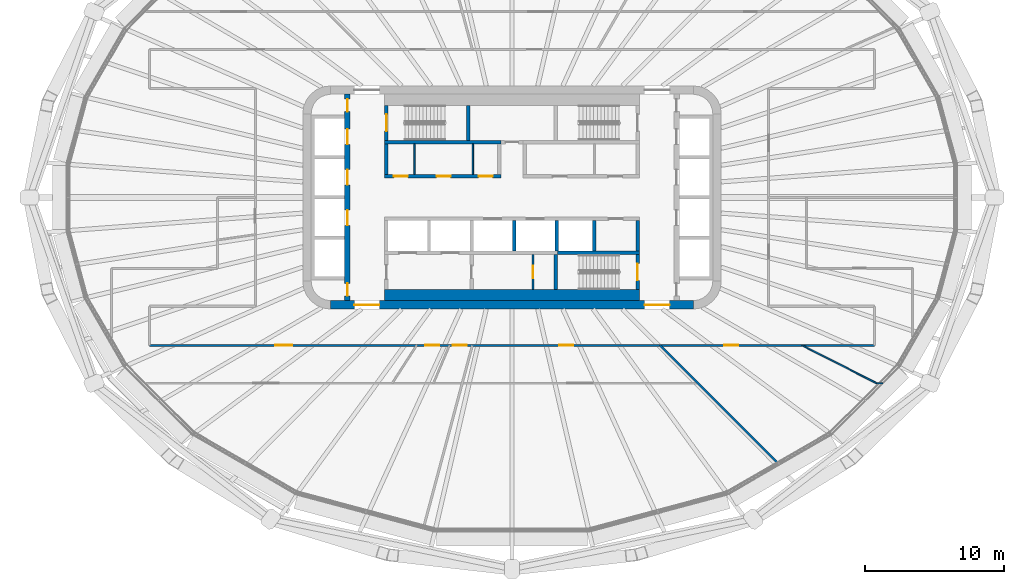
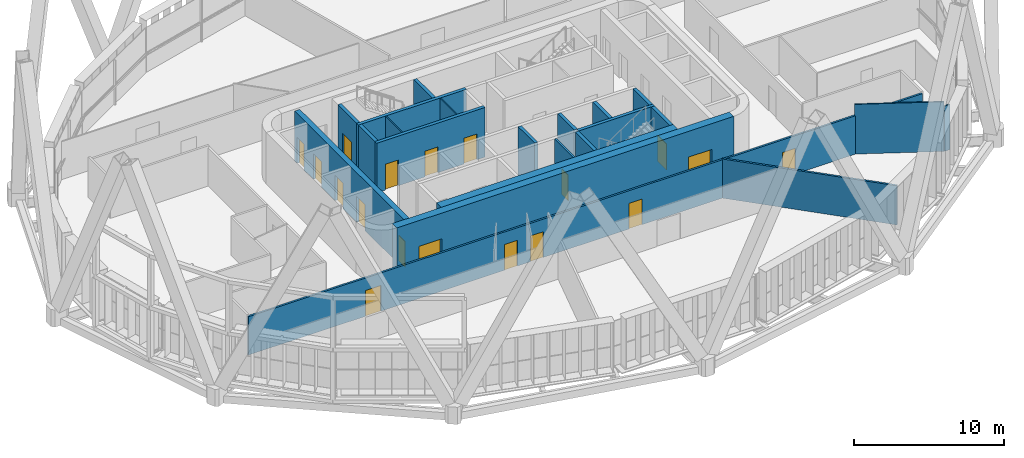
# One storey, part 15 of 25: 22 walls, 18 doors, 18 openings.
"""IFC4 building model written with IfcOpenShell, lengths in metres."""

from ifc_helpers import new_model, si_unit, direction, frame, frame_2d, origin, place, context, subcontext, project, spatial, rectangle, extrude, material, layer, layer_set, type_object, element, fill, save


model = new_model("IFC4")

# Units and contexts
model_context = context("Model", 3, precision=1e-05, world=origin(), true_north=direction((0.0, 1.0)))
body_context = subcontext(model_context, "Body", "Model", "MODEL_VIEW")
ifc_project = project(units=[si_unit("LENGTHUNIT", "METRE"), si_unit("AREAUNIT", "SQUARE_METRE"), si_unit("VOLUMEUNIT", "CUBIC_METRE"), si_unit("PLANEANGLEUNIT", "RADIAN"), si_unit("MASSUNIT", "GRAM", prefix="KILO")], contexts=[model_context])

# Site, building, storey
site_placement = place(None, origin())
site = spatial("IfcSite", under=ifc_project, at=site_placement, CompositionType="ELEMENT")
building_placement = place(site_placement, origin())
building = spatial("IfcBuilding", under=site, at=building_placement, Name="Sahrelin Media Tower", CompositionType="ELEMENT")
storey_placement = place(building_placement, frame((0.0, 0.0, 114.60009765625)))
storey = spatial("IfcBuildingStorey", under=building, at=storey_placement, Name="L22", CompositionType="ELEMENT", Elevation=114.60009765625)

# Wall, openings, doors
ifc_material_1 = material(Name="Concrete C60/75", Category="concrete")
ifc_layer_1 = layer(ifc_material_1, 0.60009765625)
ifc_layer_set_1 = layer_set([ifc_layer_1], Name="Core wall 600")
wall_type_1 = type_object("IfcWallType", Name="Core wall 600", PredefinedType="SHEAR", material=ifc_layer_set_1)
wall_1_placement = place(storey_placement, frame((-13.0, -7.699951171875, 0.0), z_axis=(0.0, 0.0, 1.0), x_axis=(1.0, 0.0, 0.0)))
wall_1 = element("IfcWall", 1, at=wall_1_placement, inside=storey, type_object=wall_type_1, Name="Core wall S L22", PredefinedType="SHEAR", context=body_context, shape_type="SweptSolid", body=[
    extrude(rectangle(XDim=26.0, YDim=0.60009765625, at=frame_2d((13.0, 0.0))), origin(), (0.0, 0.0, 1.0), 4.199951171875),
])
opening_1_placement = place(wall_1_placement, frame((1.699951171875, 0.0, 0.0)))
opening_1 = element("IfcOpeningElement", 2, at=opening_1_placement, cuts=wall_1, Name="Opening L22-D20", PredefinedType="OPENING", context=body_context, shape_type="SweptSolid", body=[
    extrude(rectangle(XDim=1.800048828125, YDim=2.10009765625, at=frame_2d((0.89990234375, 1.050048828125))), frame((0.0, 0.300048828125, 0.0), z_axis=(0.0, -1.0, 0.0), x_axis=(1.0, 0.0, 0.0)), (0.0, 0.0, 1.0), 0.60009765625),
])
opening_2_placement = place(wall_1_placement, frame((22.5, 0.0, 0.0)))
opening_2 = element("IfcOpeningElement", 3, at=opening_2_placement, cuts=wall_1, Name="Opening L22-D21", PredefinedType="OPENING", context=body_context, shape_type="SweptSolid", body=[
    extrude(rectangle(XDim=1.800048828125, YDim=2.10009765625, at=frame_2d((0.89990234375, 1.050048828125))), frame((0.0, 0.300048828125, 0.0), z_axis=(0.0, -1.0, 0.0), x_axis=(1.0, 0.0, 0.0)), (0.0, 0.0, 1.0), 0.60009765625),
])
ifc_material_2 = material(Name="Steel fire door leaf", Category="steel")
door_type_1 = type_object("IfcDoorType", Name="Lobby double door 1800 x 2100 EI 60", OperationType="DOUBLE_DOOR_SINGLE_SWING", PredefinedType="DOOR", material=ifc_material_2)
door_1_placement = place(opening_1_placement, origin())
door_1 = element("IfcDoor", 4, at=door_1_placement, inside=storey, type_object=door_type_1, Name="Lobby door", OperationType="DOUBLE_DOOR_SINGLE_SWING", OverallHeight=2.10009765625, OverallWidth=1.800048828125, PredefinedType="DOOR", context=body_context, shape_type="SweptSolid", body=[
    extrude(rectangle(XDim=1.800048828125, YDim=2.10009765625, at=frame_2d((0.89990234375, 1.050048828125))), frame((0.0, 0.02490234375, 0.0), z_axis=(0.0, -1.0, 0.0), x_axis=(1.0, 0.0, 0.0)), (0.0, 0.0, 1.0), 0.050048828125),
])
fill(opening_1, door_1)
door_2_placement = place(opening_2_placement, origin())
door_2 = element("IfcDoor", 5, at=door_2_placement, inside=storey, type_object=door_type_1, Name="Lobby door", OperationType="DOUBLE_DOOR_SINGLE_SWING", OverallHeight=2.10009765625, OverallWidth=1.800048828125, PredefinedType="DOOR", context=body_context, shape_type="SweptSolid", body=[
    extrude(rectangle(XDim=1.800048828125, YDim=2.10009765625, at=frame_2d((0.89990234375, 1.050048828125))), frame((0.0, 0.02490234375, 0.0), z_axis=(0.0, -1.0, 0.0), x_axis=(1.0, 0.0, 0.0)), (0.0, 0.0, 1.0), 0.050048828125),
])
fill(opening_2, door_2)

ifc_material_3 = material(Name="Fire-rated gypsum board partition")
ifc_layer_2 = layer(ifc_material_3, 0.25)
ifc_layer_set_2 = layer_set([ifc_layer_2], Name="Fire-rated lobby wall 250")
wall_type_2 = type_object("IfcWallType", Name="Fire-rated lobby wall 250", PredefinedType="PARTITIONING", material=ifc_layer_set_2)
wall_2_placement = place(storey_placement, frame((-9.125, 1.52490234375, 0.0), z_axis=(0.0, 0.0, 1.0), x_axis=(1.0, 0.0, 0.0)))
wall_2 = element("IfcWall", 6, at=wall_2_placement, inside=storey, type_object=wall_type_2, Name="Core lobby wall", PredefinedType="PARTITIONING", context=body_context, shape_type="SweptSolid", body=[
    extrude(rectangle(XDim=8.35009765625, YDim=0.25, at=frame_2d((4.175048828125, 0.0))), origin(), (0.0, 0.0, 1.0), 4.0498046875),
])
opening_3_placement = place(wall_2_placement, frame((0.66259765625, 0.0, 0.0)))
opening_3 = element("IfcOpeningElement", 7, at=opening_3_placement, cuts=wall_2, Name="Opening L22-D08", PredefinedType="OPENING", context=body_context, shape_type="SweptSolid", body=[
    extrude(rectangle(XDim=1.0, YDim=2.10009765625, at=frame_2d((0.5, 1.050048828125))), frame((0.0, 0.125, 0.0), z_axis=(0.0, -1.0, 0.0), x_axis=(1.0, 0.0, 0.0)), (0.0, 0.0, 1.0), 0.25),
])
opening_4_placement = place(wall_2_placement, frame((3.72509765625, 0.0, 0.0)))
opening_4 = element("IfcOpeningElement", 8, at=opening_4_placement, cuts=wall_2, Name="Opening L22-D09", PredefinedType="OPENING", context=body_context, shape_type="SweptSolid", body=[
    extrude(rectangle(XDim=1.0, YDim=2.10009765625, at=frame_2d((0.5, 1.050048828125))), frame((0.0, 0.125, 0.0), z_axis=(0.0, -1.0, 0.0), x_axis=(1.0, 0.0, 0.0)), (0.0, 0.0, 1.0), 0.25),
])
opening_5_placement = place(wall_2_placement, frame((6.737548828125, 0.0, 0.0)))
opening_5 = element("IfcOpeningElement", 9, at=opening_5_placement, cuts=wall_2, Name="Opening L22-D10", PredefinedType="OPENING", context=body_context, shape_type="SweptSolid", body=[
    extrude(rectangle(XDim=1.0, YDim=2.10009765625, at=frame_2d((0.5, 1.050048828125))), frame((0.0, 0.125, 0.0), z_axis=(0.0, -1.0, 0.0), x_axis=(1.0, 0.0, 0.0)), (0.0, 0.0, 1.0), 0.25),
])
door_type_2 = type_object("IfcDoorType", Name="Fire door 1000 x 2100 EI 60", OperationType="NOTDEFINED", PredefinedType="DOOR", material=ifc_material_2)
door_3_placement = place(opening_3_placement, origin())
door_3 = element("IfcDoor", 10, at=door_3_placement, inside=storey, type_object=door_type_2, Name="Core room door", OperationType="SINGLE_SWING_LEFT", OverallHeight=2.10009765625, OverallWidth=1.0, PredefinedType="DOOR", context=body_context, shape_type="SweptSolid", body=[
    extrude(rectangle(XDim=1.0, YDim=2.10009765625, at=frame_2d((0.5, 1.050048828125))), frame((0.0, 0.02490234375, 0.0), z_axis=(0.0, -1.0, 0.0), x_axis=(1.0, 0.0, 0.0)), (0.0, 0.0, 1.0), 0.050048828125),
])
fill(opening_3, door_3)
door_4_placement = place(opening_4_placement, origin())
door_4 = element("IfcDoor", 11, at=door_4_placement, inside=storey, type_object=door_type_2, Name="Core room door", OperationType="SINGLE_SWING_LEFT", OverallHeight=2.10009765625, OverallWidth=1.0, PredefinedType="DOOR", context=body_context, shape_type="SweptSolid", body=[
    extrude(rectangle(XDim=1.0, YDim=2.10009765625, at=frame_2d((0.5, 1.050048828125))), frame((0.0, 0.02490234375, 0.0), z_axis=(0.0, -1.0, 0.0), x_axis=(1.0, 0.0, 0.0)), (0.0, 0.0, 1.0), 0.050048828125),
])
fill(opening_4, door_4)
door_5_placement = place(opening_5_placement, origin())
door_5 = element("IfcDoor", 12, at=door_5_placement, inside=storey, type_object=door_type_2, Name="Core room door", OperationType="SINGLE_SWING_LEFT", OverallHeight=2.10009765625, OverallWidth=1.0, PredefinedType="DOOR", context=body_context, shape_type="SweptSolid", body=[
    extrude(rectangle(XDim=1.0, YDim=2.10009765625, at=frame_2d((0.5, 1.050048828125))), frame((0.0, 0.02490234375, 0.0), z_axis=(0.0, -1.0, 0.0), x_axis=(1.0, 0.0, 0.0)), (0.0, 0.0, 1.0), 0.050048828125),
])
fill(opening_5, door_5)

# Walls
wall_3_placement = place(storey_placement, frame((-9.0, 1.64990234375, 0.0), z_axis=(0.0, 0.0, 1.0), x_axis=(0.0, 1.0, 0.0)))
element("IfcWall", 13, at=wall_3_placement, inside=storey, type_object=wall_type_2, Name="Core lobby wall", PredefinedType="PARTITIONING", context=body_context, shape_type="SweptSolid", body=[
    extrude(rectangle(XDim=2.2001953125, YDim=0.25, at=frame_2d((1.10009765625, 0.0))), origin(), (0.0, 0.0, 1.0), 4.0498046875),
])
ifc_layer_3 = layer(ifc_material_3, 0.10009765625)
ifc_layer_set_3 = layer_set([ifc_layer_3], Name="Fire-rated partition 100")
wall_type_3 = type_object("IfcWallType", Name="Fire-rated partition 100", PredefinedType="PARTITIONING", material=ifc_layer_set_3)
for number, where, z_axis, x_axis, name in (
    (14, (-7.0, 1.64990234375, 0.0), (0.0, 0.0, 1.0), (0.0, 1.0, 0.0), "Core room partition"),
    (15, (-2.800048828125, 1.64990234375, 0.0), (0.0, 0.0, 1.0), (0.0, 1.0, 0.0), "Core room partition"),
):
    element("IfcWall", number, at=place(storey_placement, frame(where, z_axis=z_axis, x_axis=x_axis)), inside=storey, type_object=wall_type_3, Name=name, PredefinedType="PARTITIONING", context=body_context, shape_type="SweptSolid", body=[
        extrude(rectangle(XDim=2.2001953125, YDim=0.10009765625, at=frame_2d((1.10009765625, 0.0))), origin(), (0.0, 0.0, 1.0), 4.0498046875),
    ])

# Wall, opening, door
ifc_layer_4 = layer(ifc_material_3, 0.14990234375)
ifc_layer_set_4 = layer_set([ifc_layer_4], Name="Fire-rated partition 150")
wall_type_4 = type_object("IfcWallType", Name="Fire-rated partition 150", PredefinedType="PARTITIONING", material=ifc_layer_set_4)
wall_4_placement = place(storey_placement, frame((1.5, -6.60009765625, 0.0), z_axis=(0.0, 0.0, 1.0), x_axis=(0.0, 1.0, 0.0)))
wall_4 = element("IfcWall", 16, at=wall_4_placement, inside=storey, type_object=wall_type_4, Name="Core room fire partition", PredefinedType="PARTITIONING", context=body_context, shape_type="SweptSolid", body=[
    extrude(rectangle(XDim=2.5, YDim=0.14990234375, at=frame_2d((1.25, 0.0))), origin(), (0.0, 0.0, 1.0), 4.0498046875),
])
opening_6_placement = place(wall_4_placement, frame((0.800048828125, 0.0, 0.0)))
opening_6 = element("IfcOpeningElement", 17, at=opening_6_placement, cuts=wall_4, Name="Opening L22-D07", PredefinedType="OPENING", context=body_context, shape_type="SweptSolid", body=[
    extrude(rectangle(XDim=0.89990234375, YDim=2.10009765625, at=frame_2d((0.449951171875, 1.050048828125))), frame((0.0, 0.074951171875, 0.0), z_axis=(0.0, -1.0, 0.0), x_axis=(1.0, 0.0, 0.0)), (0.0, 0.0, 1.0), 0.14990234375),
])
door_type_3 = type_object("IfcDoorType", Name="Fire door 900 x 2100 EI 60", OperationType="NOTDEFINED", PredefinedType="DOOR", material=ifc_material_2)
door_6_placement = place(opening_6_placement, origin())
door_6 = element("IfcDoor", 18, at=door_6_placement, inside=storey, type_object=door_type_3, Name="Core room door", OperationType="SINGLE_SWING_RIGHT", OverallHeight=2.10009765625, OverallWidth=0.89990234375, PredefinedType="DOOR", context=body_context, shape_type="SweptSolid", body=[
    extrude(rectangle(XDim=0.89990234375, YDim=2.10009765625, at=frame_2d((0.449951171875, 1.050048828125))), frame((0.0, 0.02490234375, 0.0), z_axis=(0.0, -1.0, 0.0), x_axis=(1.0, 0.0, 0.0)), (0.0, 0.0, 1.0), 0.050048828125),
])
fill(opening_6, door_6)

# Wall
wall_5_placement = place(storey_placement, frame((10.60009765625, -10.60009765625, 0.0), z_axis=(0.0, 0.0, 1.0), x_axis=(0.707106781187, -0.707106781187, 0.0)))
element("IfcWall", 19, at=wall_5_placement, inside=storey, type_object=wall_type_4, Name="Wall", PredefinedType="PARTITIONING", context=body_context, shape_type="SweptSolid", body=[
    extrude(rectangle(XDim=12.10546875, YDim=0.14990234375, at=frame_2d((6.052734375, 0.0))), origin(), (0.0, 0.0, 1.0), 3.195068359375),
])

# Wall, openings, doors
wall_6_placement = place(storey_placement, frame((-26.0, -10.60009765625, 0.0), z_axis=(0.0, 0.0, 1.0), x_axis=(1.0, 0.0, 0.0)))
wall_6 = element("IfcWall", 20, at=wall_6_placement, inside=storey, type_object=wall_type_4, Name="Wall", PredefinedType="PARTITIONING", context=body_context, shape_type="SweptSolid", body=[
    extrude(rectangle(XDim=52.0, YDim=0.14990234375, at=frame_2d((26.0, 0.0))), origin(), (0.0, 0.0, 1.0), 3.126953125),
])
opening_7_placement = place(wall_6_placement, frame((9.03369140625, 0.0, 0.0)))
opening_7 = element("IfcOpeningElement", 21, at=opening_7_placement, cuts=wall_6, Name="Opening L22-D26", PredefinedType="OPENING", context=body_context, shape_type="SweptSolid", body=[
    extrude(rectangle(XDim=1.199951171875, YDim=2.10009765625, at=frame_2d((0.60009765625, 1.050048828125))), frame((0.0, 0.074951171875, 0.0), z_axis=(0.0, -1.0, 0.0), x_axis=(1.0, 0.0, 0.0)), (0.0, 0.0, 1.0), 0.14990234375),
])
opening_8_placement = place(wall_6_placement, frame((19.76708984375, 0.0, 0.0)))
opening_8 = element("IfcOpeningElement", 22, at=opening_8_placement, cuts=wall_6, Name="Opening L22-D27", PredefinedType="OPENING", context=body_context, shape_type="SweptSolid", body=[
    extrude(rectangle(XDim=1.0, YDim=2.10009765625, at=frame_2d((0.5, 1.050048828125))), frame((0.0, 0.074951171875, 0.0), z_axis=(0.0, -1.0, 0.0), x_axis=(1.0, 0.0, 0.0)), (0.0, 0.0, 1.0), 0.14990234375),
])
opening_9_placement = place(wall_6_placement, frame((21.762939453125, 0.0, 0.0)))
opening_9 = element("IfcOpeningElement", 23, at=opening_9_placement, cuts=wall_6, Name="Opening L22-D28", PredefinedType="OPENING", context=body_context, shape_type="SweptSolid", body=[
    extrude(rectangle(XDim=1.0, YDim=2.10009765625, at=frame_2d((0.5, 1.050048828125))), frame((0.0, 0.074951171875, 0.0), z_axis=(0.0, -1.0, 0.0), x_axis=(1.0, 0.0, 0.0)), (0.0, 0.0, 1.0), 0.14990234375),
])
opening_10_placement = place(wall_6_placement, frame((29.3798828125, 0.0, 0.0)))
opening_10 = element("IfcOpeningElement", 24, at=opening_10_placement, cuts=wall_6, Name="Opening L22-D30", PredefinedType="OPENING", context=body_context, shape_type="SweptSolid", body=[
    extrude(rectangle(XDim=1.0, YDim=2.10009765625, at=frame_2d((0.5, 1.050048828125))), frame((0.0, 0.074951171875, 0.0), z_axis=(0.0, -1.0, 0.0), x_axis=(1.0, 0.0, 0.0)), (0.0, 0.0, 1.0), 0.14990234375),
])
opening_11_placement = place(wall_6_placement, frame((41.201904296875, 0.0, 0.0)))
opening_11 = element("IfcOpeningElement", 25, at=opening_11_placement, cuts=wall_6, Name="Opening L22-D32", PredefinedType="OPENING", context=body_context, shape_type="SweptSolid", body=[
    extrude(rectangle(XDim=1.0, YDim=2.10009765625, at=frame_2d((0.5, 1.050048828125))), frame((0.0, 0.074951171875, 0.0), z_axis=(0.0, -1.0, 0.0), x_axis=(1.0, 0.0, 0.0)), (0.0, 0.0, 1.0), 0.14990234375),
])
door_7_placement = place(opening_8_placement, origin())
door_7 = element("IfcDoor", 26, at=door_7_placement, inside=storey, type_object=door_type_2, Name="Fire door", OperationType="SINGLE_SWING_LEFT", OverallHeight=2.10009765625, OverallWidth=1.0, PredefinedType="DOOR", context=body_context, shape_type="SweptSolid", body=[
    extrude(rectangle(XDim=1.0, YDim=2.10009765625, at=frame_2d((0.5, 1.050048828125))), frame((0.0, 0.02490234375, 0.0), z_axis=(0.0, -1.0, 0.0), x_axis=(1.0, 0.0, 0.0)), (0.0, 0.0, 1.0), 0.050048828125),
])
fill(opening_8, door_7)
door_8_placement = place(opening_9_placement, origin())
door_8 = element("IfcDoor", 27, at=door_8_placement, inside=storey, type_object=door_type_2, Name="Fire door", OperationType="SINGLE_SWING_LEFT", OverallHeight=2.10009765625, OverallWidth=1.0, PredefinedType="DOOR", context=body_context, shape_type="SweptSolid", body=[
    extrude(rectangle(XDim=1.0, YDim=2.10009765625, at=frame_2d((0.5, 1.050048828125))), frame((0.0, 0.02490234375, 0.0), z_axis=(0.0, -1.0, 0.0), x_axis=(1.0, 0.0, 0.0)), (0.0, 0.0, 1.0), 0.050048828125),
])
fill(opening_9, door_8)
door_9_placement = place(opening_10_placement, origin())
door_9 = element("IfcDoor", 28, at=door_9_placement, inside=storey, type_object=door_type_2, Name="Fire door", OperationType="SINGLE_SWING_RIGHT", OverallHeight=2.10009765625, OverallWidth=1.0, PredefinedType="DOOR", context=body_context, shape_type="SweptSolid", body=[
    extrude(rectangle(XDim=1.0, YDim=2.10009765625, at=frame_2d((0.5, 1.050048828125))), frame((0.0, 0.02490234375, 0.0), z_axis=(0.0, -1.0, 0.0), x_axis=(1.0, 0.0, 0.0)), (0.0, 0.0, 1.0), 0.050048828125),
])
fill(opening_10, door_9)
door_10_placement = place(opening_11_placement, origin())
door_10 = element("IfcDoor", 29, at=door_10_placement, inside=storey, type_object=door_type_2, Name="Fire door", OperationType="SINGLE_SWING_LEFT", OverallHeight=2.10009765625, OverallWidth=1.0, PredefinedType="DOOR", context=body_context, shape_type="SweptSolid", body=[
    extrude(rectangle(XDim=1.0, YDim=2.10009765625, at=frame_2d((0.5, 1.050048828125))), frame((0.0, 0.02490234375, 0.0), z_axis=(0.0, -1.0, 0.0), x_axis=(1.0, 0.0, 0.0)), (0.0, 0.0, 1.0), 0.050048828125),
])
fill(opening_11, door_10)
door_type_4 = type_object("IfcDoorType", Name="Service double door 1200 x 2100 EI 60", OperationType="DOUBLE_DOOR_SINGLE_SWING", PredefinedType="DOOR", material=ifc_material_2)
door_11_placement = place(opening_7_placement, origin())
door_11 = element("IfcDoor", 30, at=door_11_placement, inside=storey, type_object=door_type_4, Name="Service double door", OperationType="DOUBLE_DOOR_SINGLE_SWING", OverallHeight=2.10009765625, OverallWidth=1.199951171875, PredefinedType="DOOR", context=body_context, shape_type="SweptSolid", body=[
    extrude(rectangle(XDim=1.199951171875, YDim=2.10009765625, at=frame_2d((0.60009765625, 1.050048828125))), frame((0.0, 0.02490234375, 0.0), z_axis=(0.0, -1.0, 0.0), x_axis=(1.0, 0.0, 0.0)), (0.0, 0.0, 1.0), 0.050048828125),
])
fill(opening_7, door_11)

# Walls
ifc_layer_5 = layer(ifc_material_1, 0.25)
ifc_layer_set_5 = layer_set([ifc_layer_5], Name="Lift shaft wall 250")
wall_type_5 = type_object("IfcWallType", Name="Lift shaft wall 250", PredefinedType="SOLIDWALL", material=ifc_layer_set_5)
wall_7_placement = place(storey_placement, frame((3.27490234375, -3.97509765625, 0.0), z_axis=(0.0, 0.0, 1.0), x_axis=(1.0, 0.0, 0.0)))
element("IfcWall", 31, at=wall_7_placement, inside=storey, type_object=wall_type_5, Name="Lift shaft wall", PredefinedType="SOLIDWALL", context=body_context, shape_type="SweptSolid", body=[
    extrude(rectangle(XDim=5.85009765625, YDim=0.25, at=frame_2d((2.925048828125, 0.0))), origin(), (0.0, 0.0, 1.0), 4.0498046875),
])
for number, where, z_axis, x_axis, name in (
    (32, (0.14990234375, -3.85009765625, 0.0), (0.0, 0.0, 1.0), (0.0, 1.0, 0.0), "Lift shaft wall"),
    (33, (3.199951171875, -3.85009765625, 0.0), (0.0, 0.0, 1.0), (0.0, 1.0, 0.0), "Lift shaft wall"),
    (34, (5.89990234375, -3.85009765625, 0.0), (0.0, 0.0, 1.0), (0.0, 1.0, 0.0), "Lift shaft wall"),
    (35, (9.0, -3.85009765625, 0.0), (0.0, 0.0, 1.0), (0.0, 1.0, 0.0), "Lift shaft wall"),
):
    element("IfcWall", number, at=place(storey_placement, frame(where, z_axis=z_axis, x_axis=x_axis)), inside=storey, type_object=wall_type_5, Name=name, PredefinedType="SOLIDWALL", context=body_context, shape_type="SweptSolid", body=[
        extrude(rectangle(XDim=2.2001953125, YDim=0.25, at=frame_2d((1.10009765625, 0.0))), origin(), (0.0, 0.0, 1.0), 4.0498046875),
    ])

# Wall, openings, doors
ifc_layer_6 = layer(ifc_material_1, 0.39990234375)
ifc_layer_set_6 = layer_set([ifc_layer_6], Name="Lift shaft wall 400")
wall_type_6 = type_object("IfcWallType", Name="Lift shaft wall 400", PredefinedType="SOLIDWALL", material=ifc_layer_set_6)
wall_8_placement = place(storey_placement, frame((-11.800048828125, -7.39990234375, 0.0), z_axis=(0.0, 0.0, 1.0), x_axis=(0.0, 1.0, 0.0)))
wall_8 = element("IfcWall", 36, at=wall_8_placement, inside=storey, type_object=wall_type_6, Name="Lift shaft wall", PredefinedType="SOLIDWALL", context=body_context, shape_type="SweptSolid", body=[
    extrude(rectangle(XDim=14.7998046875, YDim=0.39990234375, at=frame_2d((7.39990234375, 0.0))), origin(), (0.0, 0.0, 1.0), 4.0498046875),
])
opening_12_placement = place(wall_8_placement, frame((11.199951171875, 0.0, 0.0)))
opening_12 = element("IfcOpeningElement", 37, at=opening_12_placement, cuts=wall_8, Name="Opening L22-LD-LR1", PredefinedType="OPENING", context=body_context, shape_type="SweptSolid", body=[
    extrude(rectangle(XDim=1.10009765625, YDim=2.10009765625, at=frame_2d((0.550048828125, 1.050048828125))), frame((0.0, 0.199951171875, 0.0), z_axis=(0.0, -1.0, 0.0), x_axis=(1.0, 0.0, 0.0)), (0.0, 0.0, 1.0), 0.39990234375),
])
opening_13_placement = place(wall_8_placement, frame((8.300048828125, 0.0, 0.0)))
opening_13 = element("IfcOpeningElement", 38, at=opening_13_placement, cuts=wall_8, Name="Opening L22-LD-LR2", PredefinedType="OPENING", context=body_context, shape_type="SweptSolid", body=[
    extrude(rectangle(XDim=1.10009765625, YDim=2.10009765625, at=frame_2d((0.550048828125, 1.050048828125))), frame((0.0, 0.199951171875, 0.0), z_axis=(0.0, -1.0, 0.0), x_axis=(1.0, 0.0, 0.0)), (0.0, 0.0, 1.0), 0.39990234375),
])
opening_14_placement = place(wall_8_placement, frame((5.39990234375, 0.0, 0.0)))
opening_14 = element("IfcOpeningElement", 39, at=opening_14_placement, cuts=wall_8, Name="Opening L22-LD-LR3", PredefinedType="OPENING", context=body_context, shape_type="SweptSolid", body=[
    extrude(rectangle(XDim=1.10009765625, YDim=2.10009765625, at=frame_2d((0.550048828125, 1.050048828125))), frame((0.0, 0.199951171875, 0.0), z_axis=(0.0, -1.0, 0.0), x_axis=(1.0, 0.0, 0.0)), (0.0, 0.0, 1.0), 0.39990234375),
])
opening_15_placement = place(wall_8_placement, frame((13.552490234375, 0.0, 0.0)))
opening_15 = element("IfcOpeningElement", 40, at=opening_15_placement, cuts=wall_8, Name="Opening L22-D14", PredefinedType="OPENING", context=body_context, shape_type="SweptSolid", body=[
    extrude(rectangle(XDim=0.89990234375, YDim=2.10009765625, at=frame_2d((0.449951171875, 1.050048828125))), frame((0.0, 0.199951171875, 0.0), z_axis=(0.0, -1.0, 0.0), x_axis=(1.0, 0.0, 0.0)), (0.0, 0.0, 1.0), 0.39990234375),
])
opening_16_placement = place(wall_8_placement, frame((0.347412109375, 0.0, 0.0)))
opening_16 = element("IfcOpeningElement", 41, at=opening_16_placement, cuts=wall_8, Name="Opening L22-D15", PredefinedType="OPENING", context=body_context, shape_type="SweptSolid", body=[
    extrude(rectangle(XDim=0.89990234375, YDim=2.10009765625, at=frame_2d((0.449951171875, 1.050048828125))), frame((0.0, 0.199951171875, 0.0), z_axis=(0.0, -1.0, 0.0), x_axis=(1.0, 0.0, 0.0)), (0.0, 0.0, 1.0), 0.39990234375),
])
ifc_material_4 = material(Name="Stainless steel", Category="steel")
door_type_5 = type_object("IfcDoorType", Name="Lift landing door 1100 x 2100 EI 120", OperationType="DOUBLE_DOOR_SLIDING", PredefinedType="DOOR", material=ifc_material_4)
door_12_placement = place(opening_12_placement, origin())
door_12 = element("IfcDoor", 42, at=door_12_placement, inside=storey, type_object=door_type_5, Name="Lift landing door LR1", OperationType="DOUBLE_DOOR_SLIDING", OverallHeight=2.10009765625, OverallWidth=1.10009765625, PredefinedType="DOOR", context=body_context, shape_type="SweptSolid", body=[
    extrude(rectangle(XDim=1.10009765625, YDim=2.10009765625, at=frame_2d((0.550048828125, 1.050048828125))), frame((0.0, 0.02490234375, 0.0), z_axis=(0.0, -1.0, 0.0), x_axis=(1.0, 0.0, 0.0)), (0.0, 0.0, 1.0), 0.050048828125),
])
fill(opening_12, door_12)
door_13_placement = place(opening_13_placement, origin())
door_13 = element("IfcDoor", 43, at=door_13_placement, inside=storey, type_object=door_type_5, Name="Lift landing door LR2", OperationType="DOUBLE_DOOR_SLIDING", OverallHeight=2.10009765625, OverallWidth=1.10009765625, PredefinedType="DOOR", context=body_context, shape_type="SweptSolid", body=[
    extrude(rectangle(XDim=1.10009765625, YDim=2.10009765625, at=frame_2d((0.550048828125, 1.050048828125))), frame((0.0, 0.02490234375, 0.0), z_axis=(0.0, -1.0, 0.0), x_axis=(1.0, 0.0, 0.0)), (0.0, 0.0, 1.0), 0.050048828125),
])
fill(opening_13, door_13)
door_14_placement = place(opening_14_placement, origin())
door_14 = element("IfcDoor", 44, at=door_14_placement, inside=storey, type_object=door_type_5, Name="Lift landing door LR3", OperationType="DOUBLE_DOOR_SLIDING", OverallHeight=2.10009765625, OverallWidth=1.10009765625, PredefinedType="DOOR", context=body_context, shape_type="SweptSolid", body=[
    extrude(rectangle(XDim=1.10009765625, YDim=2.10009765625, at=frame_2d((0.550048828125, 1.050048828125))), frame((0.0, 0.02490234375, 0.0), z_axis=(0.0, -1.0, 0.0), x_axis=(1.0, 0.0, 0.0)), (0.0, 0.0, 1.0), 0.050048828125),
])
fill(opening_14, door_14)
door_type_6 = type_object("IfcDoorType", Name="Riser door 900 x 2100 EI 120", OperationType="NOTDEFINED", PredefinedType="DOOR", material=ifc_material_2)
door_15_placement = place(opening_15_placement, origin())
door_15 = element("IfcDoor", 45, at=door_15_placement, inside=storey, type_object=door_type_6, Name="Riser door", OperationType="SINGLE_SWING_LEFT", OverallHeight=2.10009765625, OverallWidth=0.89990234375, PredefinedType="DOOR", context=body_context, shape_type="SweptSolid", body=[
    extrude(rectangle(XDim=0.89990234375, YDim=2.10009765625, at=frame_2d((0.449951171875, 1.050048828125))), frame((0.0, 0.02490234375, 0.0), z_axis=(0.0, -1.0, 0.0), x_axis=(1.0, 0.0, 0.0)), (0.0, 0.0, 1.0), 0.050048828125),
])
fill(opening_15, door_15)
door_16_placement = place(opening_16_placement, origin())
door_16 = element("IfcDoor", 46, at=door_16_placement, inside=storey, type_object=door_type_6, Name="Riser door", OperationType="SINGLE_SWING_LEFT", OverallHeight=2.10009765625, OverallWidth=0.89990234375, PredefinedType="DOOR", context=body_context, shape_type="SweptSolid", body=[
    extrude(rectangle(XDim=0.89990234375, YDim=2.10009765625, at=frame_2d((0.449951171875, 1.050048828125))), frame((0.0, 0.02490234375, 0.0), z_axis=(0.0, -1.0, 0.0), x_axis=(1.0, 0.0, 0.0)), (0.0, 0.0, 1.0), 0.050048828125),
])
fill(opening_16, door_16)

# Walls
ifc_material_5 = material(Name="Gypsum board partition")
ifc_layer_7 = layer(ifc_material_5, 0.10009765625)
ifc_layer_set_7 = layer_set([ifc_layer_7], Name="Partition 100")
wall_type_7 = type_object("IfcWallType", Name="Partition 100", PredefinedType="PARTITIONING", material=ifc_layer_set_7)
wall_9_placement = place(storey_placement, frame((20.803955078125, -10.60009765625, 0.0), z_axis=(0.0, 0.0, 1.0), x_axis=(0.891002798049, -0.453997812626, 0.0)))
element("IfcWall", 47, at=wall_9_placement, inside=storey, type_object=wall_type_7, Name="Wall", PredefinedType="PARTITIONING", context=body_context, shape_type="SweptSolid", body=[
    extrude(rectangle(XDim=5.9912109375, YDim=0.10009765625, at=frame_2d((2.99560546875, 0.0))), origin(), (0.0, 0.0, 1.0), 4.0498046875),
])
wall_10_placement = place(storey_placement, frame((26.14208984375, -13.320068359375, 0.0), z_axis=(0.0, 0.0, 1.0), x_axis=(1.0, 0.0, 0.0)))
element("IfcWall", 48, at=wall_10_placement, inside=storey, type_object=wall_type_7, Name="Wall", PredefinedType="PARTITIONING", context=body_context, shape_type="SweptSolid", body=[
    extrude(rectangle(XDim=0.44384765625, YDim=0.10009765625, at=frame_2d((0.221923828125, 0.0))), origin(), (0.0, 0.0, 1.0), 3.6748046875),
])

# Wall, opening, door
ifc_layer_8 = layer(ifc_material_1, 0.25)
ifc_layer_set_8 = layer_set([ifc_layer_8], Name="Stair enclosure wall 250")
wall_type_8 = type_object("IfcWallType", Name="Stair enclosure wall 250", PredefinedType="SOLIDWALL", material=ifc_layer_set_8)
wall_11_placement = place(storey_placement, frame((-9.0, 4.10009765625, 0.0), z_axis=(0.0, 0.0, 1.0), x_axis=(0.0, 1.0, 0.0)))
wall_11 = element("IfcWall", 49, at=wall_11_placement, inside=storey, type_object=wall_type_8, Name="Stair enclosure wall", PredefinedType="SOLIDWALL", context=body_context, shape_type="SweptSolid", body=[
    extrude(rectangle(XDim=2.5, YDim=0.25, at=frame_2d((1.25, 0.0))), origin(), (0.0, 0.0, 1.0), 4.0498046875),
])
opening_17_placement = place(wall_11_placement, frame((0.64990234375, 0.0, 0.0)))
opening_17 = element("IfcOpeningElement", 50, at=opening_17_placement, cuts=wall_11, Name="Opening L22-D01", PredefinedType="OPENING", context=body_context, shape_type="SweptSolid", body=[
    extrude(rectangle(XDim=1.199951171875, YDim=2.10009765625, at=frame_2d((0.60009765625, 1.050048828125))), frame((0.0, 0.125, 0.0), z_axis=(0.0, -1.0, 0.0), x_axis=(1.0, 0.0, 0.0)), (0.0, 0.0, 1.0), 0.25),
])
door_type_7 = type_object("IfcDoorType", Name="Stair door 1200 x 2100 EI 120", OperationType="NOTDEFINED", PredefinedType="DOOR", material=ifc_material_2)
door_17_placement = place(opening_17_placement, origin())
door_17 = element("IfcDoor", 51, at=door_17_placement, inside=storey, type_object=door_type_7, Name="Stair door ST1", OperationType="SINGLE_SWING_RIGHT", OverallHeight=2.10009765625, OverallWidth=1.199951171875, PredefinedType="DOOR", context=body_context, shape_type="SweptSolid", body=[
    extrude(rectangle(XDim=1.199951171875, YDim=2.10009765625, at=frame_2d((0.60009765625, 1.050048828125))), frame((0.0, 0.02490234375, 0.0), z_axis=(0.0, -1.0, 0.0), x_axis=(1.0, 0.0, 0.0)), (0.0, 0.0, 1.0), 0.050048828125),
])
fill(opening_17, door_17)

wall_12_placement = place(storey_placement, frame((9.0, -6.60009765625, 0.0), z_axis=(0.0, 0.0, 1.0), x_axis=(0.0, 1.0, 0.0)))
wall_12 = element("IfcWall", 52, at=wall_12_placement, inside=storey, type_object=wall_type_8, Name="Stair enclosure wall", PredefinedType="SOLIDWALL", context=body_context, shape_type="SweptSolid", body=[
    extrude(rectangle(XDim=2.5, YDim=0.25, at=frame_2d((1.25, 0.0))), origin(), (0.0, 0.0, 1.0), 4.0498046875),
])
opening_18_placement = place(wall_12_placement, frame((0.64990234375, 0.0, 0.0)))
opening_18 = element("IfcOpeningElement", 53, at=opening_18_placement, cuts=wall_12, Name="Opening L22-D03", PredefinedType="OPENING", context=body_context, shape_type="SweptSolid", body=[
    extrude(rectangle(XDim=1.199951171875, YDim=2.10009765625, at=frame_2d((0.60009765625, 1.050048828125))), frame((0.0, 0.125, 0.0), z_axis=(0.0, -1.0, 0.0), x_axis=(1.0, 0.0, 0.0)), (0.0, 0.0, 1.0), 0.25),
])
door_18_placement = place(opening_18_placement, origin())
door_18 = element("IfcDoor", 54, at=door_18_placement, inside=storey, type_object=door_type_7, Name="Stair door ST2", OperationType="SINGLE_SWING_LEFT", OverallHeight=2.10009765625, OverallWidth=1.199951171875, PredefinedType="DOOR", context=body_context, shape_type="SweptSolid", body=[
    extrude(rectangle(XDim=1.199951171875, YDim=2.10009765625, at=frame_2d((0.60009765625, 1.050048828125))), frame((0.0, 0.02490234375, 0.0), z_axis=(0.0, -1.0, 0.0), x_axis=(1.0, 0.0, 0.0)), (0.0, 0.0, 1.0), 0.050048828125),
])
fill(opening_18, door_18)

# Walls
for number, where, z_axis, x_axis, name in (
    (55, (-3.14990234375, 4.10009765625, 0.0), (0.0, 0.0, 1.0), (0.0, 1.0, 0.0), "Stair enclosure wall"),
    (56, (3.14990234375, -6.60009765625, 0.0), (0.0, 0.0, 1.0), (0.0, 1.0, 0.0), "Stair enclosure wall"),
):
    element("IfcWall", number, at=place(storey_placement, frame(where, z_axis=z_axis, x_axis=x_axis)), inside=storey, type_object=wall_type_8, Name=name, PredefinedType="SOLIDWALL", context=body_context, shape_type="SweptSolid", body=[
        extrude(rectangle(XDim=2.5, YDim=0.25, at=frame_2d((1.25, 0.0))), origin(), (0.0, 0.0, 1.0), 4.0498046875),
    ])
wall_13_placement = place(storey_placement, frame((-9.125, 3.97509765625, 0.0), z_axis=(0.0, 0.0, 1.0), x_axis=(1.0, 0.0, 0.0)))
element("IfcWall", 57, at=wall_13_placement, inside=storey, type_object=wall_type_8, Name="Stair enclosure wall", PredefinedType="SOLIDWALL", context=body_context, shape_type="SweptSolid", body=[
    extrude(rectangle(XDim=8.35009765625, YDim=0.25, at=frame_2d((4.175048828125, 0.0))), origin(), (0.0, 0.0, 1.0), 4.0498046875),
])
ifc_layer_9 = layer(ifc_material_1, 0.800048828125)
ifc_layer_set_9 = layer_set([ifc_layer_9], Name="Stair enclosure wall 800")
wall_type_9 = type_object("IfcWallType", Name="Stair enclosure wall 800", PredefinedType="SOLIDWALL", material=ifc_layer_set_9)
wall_14_placement = place(storey_placement, frame((-9.125, -7.0, 0.0), z_axis=(0.0, 0.0, 1.0), x_axis=(1.0, 0.0, 0.0)))
element("IfcWall", 58, at=wall_14_placement, inside=storey, type_object=wall_type_9, Name="Stair enclosure wall", PredefinedType="SOLIDWALL", context=body_context, shape_type="SweptSolid", body=[
    extrude(rectangle(XDim=18.25, YDim=0.800048828125, at=frame_2d((9.125, 0.0))), origin(), (0.0, 0.0, 1.0), 4.0498046875),
])

save(model, "model.ifc")
